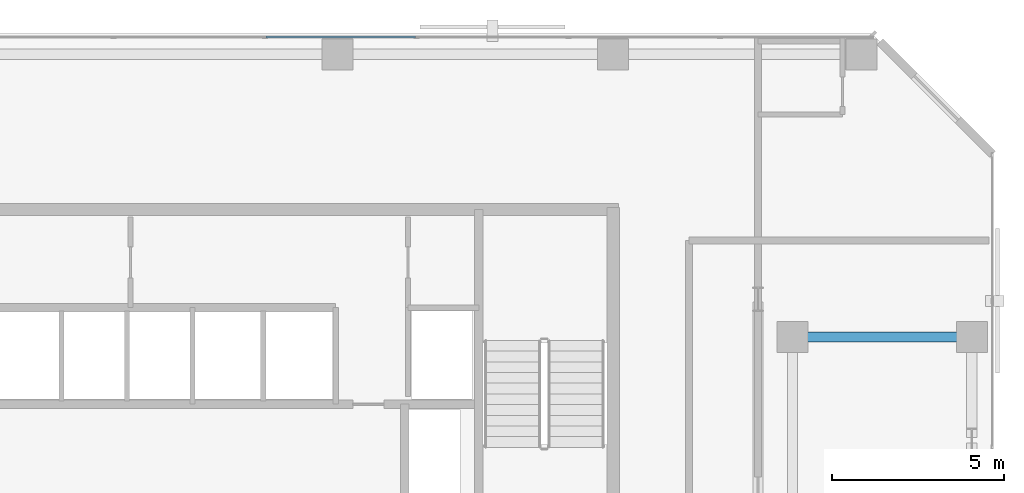
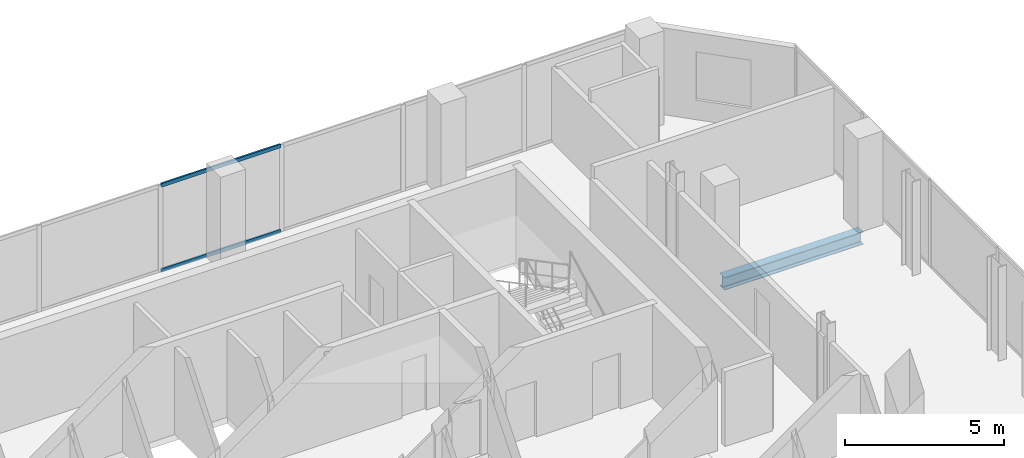
# One storey, part 23 of 33: 2 members, 1 beam, 1 element without a shape of its own.
"""IFC4 building model written with IfcOpenShell, lengths in metres."""

from ifc_helpers import new_model, si_unit, direction, frame, origin, origin_2d, place, context, subcontext, project, spatial, hollow_rectangle, i_section, extrude, material, layer, layer_set, material_profile, profile_set, type_object, element, aggregate, save


model = new_model("IFC4")

# Units and contexts
model_context = context("Model", 3, precision=1e-05, world=origin(), true_north=direction((0.0, 1.0)))
body_context = subcontext(model_context, "Body", "Model", "MODEL_VIEW")
ifc_project = project(units=[si_unit("LENGTHUNIT", "METRE"), si_unit("AREAUNIT", "SQUARE_METRE"), si_unit("VOLUMEUNIT", "CUBIC_METRE"), si_unit("PLANEANGLEUNIT", "RADIAN"), si_unit("MASSUNIT", "GRAM", prefix="KILO")], contexts=[model_context])

# Site, building, storey
site_placement = place(None, origin())
site = spatial("IfcSite", under=ifc_project, at=site_placement, CompositionType="ELEMENT")
building_placement = place(site_placement, origin())
building = spatial("IfcBuilding", under=site, at=building_placement, Name="Catumbela Crestline Tower", CompositionType="ELEMENT")
storey_placement = place(building_placement, frame((0.0, 0.0, 100.8)))
storey = spatial("IfcBuildingStorey", under=building, at=storey_placement, Name="L25", CompositionType="ELEMENT", Elevation=100.8)

# Beam
ifc_material_1 = material(Name="Structural steel S355J2", Category="steel")
ifc_material_profile_1 = material_profile(ifc_material_1, i_section(OverallWidth=0.3, OverallDepth=0.49, WebThickness=0.012, FlangeThickness=0.023, FilletRadius=0.027, at=origin_2d()), Name="HEA 500")
ifc_profile_set_1 = profile_set([ifc_material_profile_1], Name="Structural steel S355J2")
beam_type = type_object("IfcBeamType", Name="BG-HEA500", PredefinedType="BEAM", material=ifc_profile_set_1)
beam_placement = place(storey_placement, frame((45.28, 39.2, -0.505), z_axis=(1.0, 0.0, 0.0), x_axis=(0.0, 1.0, 0.0)))
element("IfcBeam", 1, at=beam_placement, inside=storey, type_object=beam_type, Name="L25 Beam BM-L25-N16", PredefinedType="BEAM", context=body_context, shape_type="SweptSolid", body=[
    extrude(i_section(OverallWidth=0.3, OverallDepth=0.49, WebThickness=0.012, FlangeThickness=0.023, FilletRadius=0.027, at=origin_2d()), origin(), (0.0, 0.0, 1.0), 5.04),
])

# Curtain wall, members
ifc_material_2 = material(Name="Aluminium alloy AW-6060-T66", Category="aluminium")
ifc_layer = layer(ifc_material_2, 0.18, Name="Aluminium alloy AW-6060-T66")
ifc_layer_set = layer_set([ifc_layer], Name="Aluminium alloy AW-6060-T66")
curtain_wall_type = type_object("IfcCurtainWallType", Name="CWU-Z2", PredefinedType="USERDEFINED", material=ifc_layer_set)
curtain_wall_placement = place(storey_placement, origin())
curtain_wall = element("IfcCurtainWall", 2, at=curtain_wall_placement, inside=storey, type_object=curtain_wall_type, Name="L25 Unitised Curtain Wall CW-L25-E7S1", ObjectType="UNITISED", PredefinedType="USERDEFINED")
ifc_material_profile_2 = material_profile(ifc_material_2, hollow_rectangle(XDim=0.06, YDim=0.14, WallThickness=0.004, at=origin_2d()), Name="ALU 140x60x4")
ifc_profile_set_2 = profile_set([ifc_material_profile_2], Name="Aluminium alloy AW-6060-T66")
member_type = type_object("IfcMemberType", Name="TRN-140X60", PredefinedType="USERDEFINED", material=ifc_profile_set_2)
member_1_placement = place(storey_placement, frame((34.2675, 47.9, 0.03), z_axis=(-1.0, 0.0, 0.0), x_axis=(0.0, -1.0, 0.0)))
member_1 = element("IfcMember", 3, at=member_1_placement, type_object=member_type, Name="CWU-Z2 transom 4.1", ObjectType="TRANSOM", PredefinedType="USERDEFINED", context=body_context, shape_type="SweptSolid", body=[
    extrude(hollow_rectangle(XDim=0.06, YDim=0.14, WallThickness=0.004, at=origin_2d()), origin(), (0.0, 0.0, 1.0), 4.335),
])
member_2_placement = place(storey_placement, frame((34.2675, 47.9, 3.3), z_axis=(-1.0, 0.0, 0.0), x_axis=(0.0, -1.0, 0.0)))
member_2 = element("IfcMember", 4, at=member_2_placement, type_object=member_type, Name="CWU-Z2 transom 4.2", ObjectType="TRANSOM", PredefinedType="USERDEFINED", context=body_context, shape_type="SweptSolid", body=[
    extrude(hollow_rectangle(XDim=0.06, YDim=0.14, WallThickness=0.004, at=origin_2d()), origin(), (0.0, 0.0, 1.0), 4.335),
])
aggregate(curtain_wall, [member_1, member_2])

save(model, "model.ifc")
